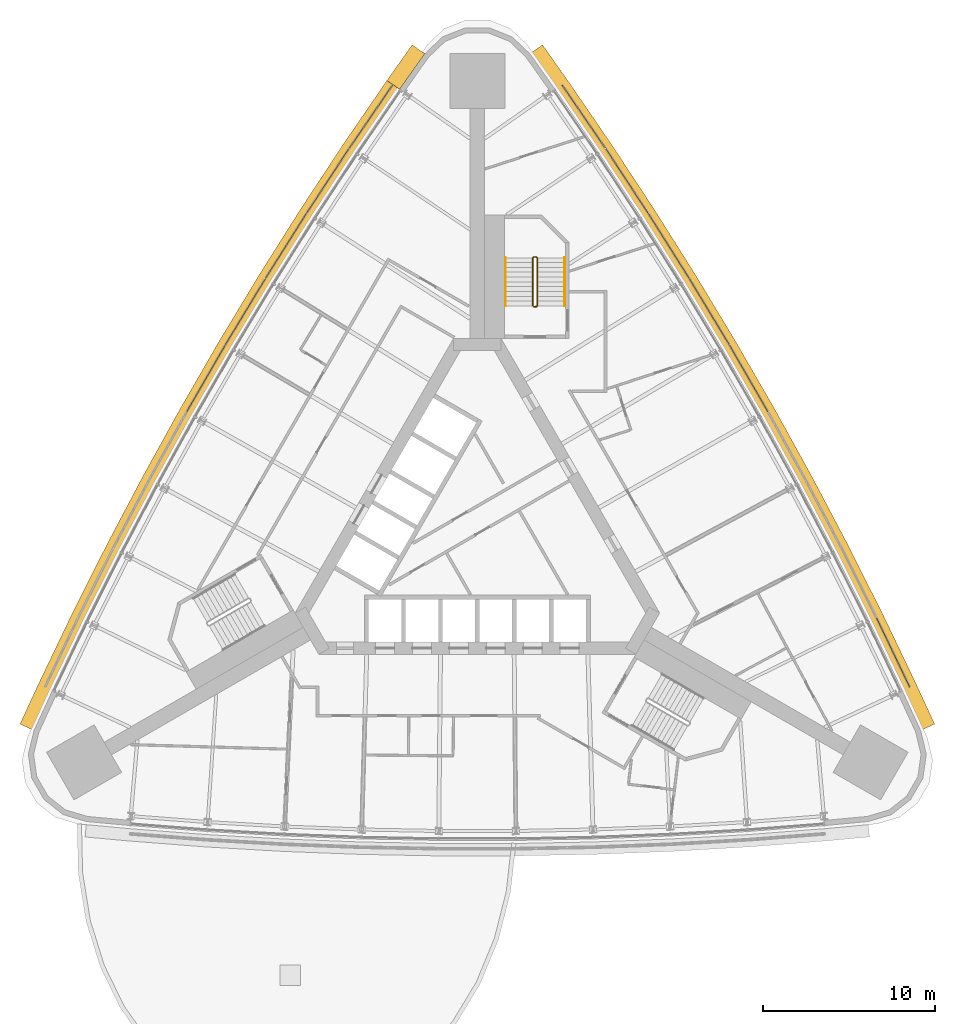
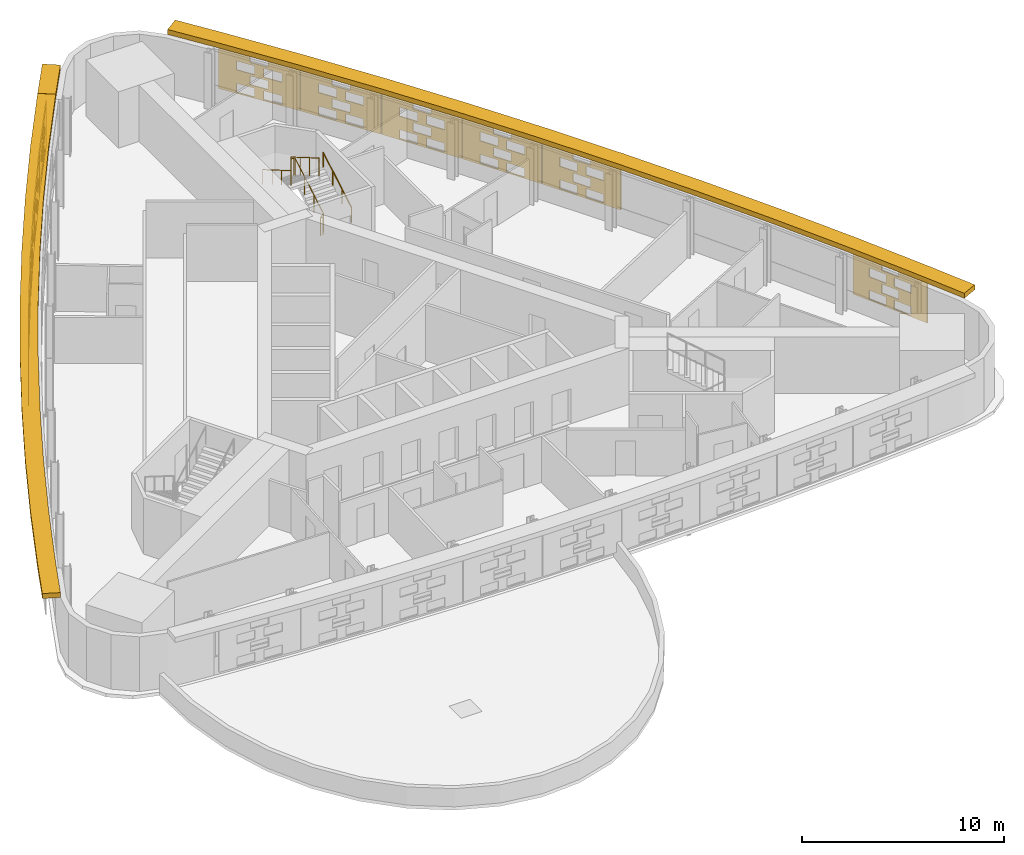
# One storey, part 15 of 15: 14 shading devices, 3 railings.
"""IFC4 building model written with IfcOpenShell, lengths in metres."""

from ifc_helpers import new_model, si_unit, direction, frame, origin, origin_2d, place, context, subcontext, project, spatial, polyline, circle, outline, extrude, material, material_profile, profile_set, type_object, element, save


model = new_model("IFC4")

# Units and contexts
model_context = context("Model", 3, precision=1e-05, world=origin(), true_north=direction((0.0, 1.0)))
body_context = subcontext(model_context, "Body", "Model", "MODEL_VIEW")
ifc_project = project(units=[si_unit("LENGTHUNIT", "METRE"), si_unit("AREAUNIT", "SQUARE_METRE"), si_unit("VOLUMEUNIT", "CUBIC_METRE"), si_unit("PLANEANGLEUNIT", "RADIAN"), si_unit("MASSUNIT", "GRAM", prefix="KILO")], contexts=[model_context])

# Site, building, storey
site_placement = place(None, origin())
site = spatial("IfcSite", under=ifc_project, at=site_placement, CompositionType="ELEMENT")
building_placement = place(site_placement, origin())
building = spatial("IfcBuilding", under=site, at=building_placement, Name="Noor Cloister Tower", CompositionType="ELEMENT")
storey_placement = place(building_placement, frame((0.0, 0.0, 69.0)))
storey = spatial("IfcBuildingStorey", under=building, at=storey_placement, Name="L17", CompositionType="ELEMENT", Elevation=69.0)

# Shading devices
ifc_material_1 = material(Name="Limestone", Category="masonry")
ifc_material_profile = material_profile(ifc_material_1, outline(polyline([(-2.22998046875, -1.35009765625), (2.22998046875, -1.35009765625), (2.22998046875, 1.35009765625), (-2.22998046875, 1.35009765625), (-2.22998046875, -1.35009765625)]), holes=[polyline([(-1.25, -1.282470703125), (-0.25, -1.282470703125), (-0.25, -0.742431640625), (-1.25, -0.742431640625), (-1.25, -1.282470703125)]), polyline([(0.25, -1.282470703125), (1.25, -1.282470703125), (1.25, -0.742431640625), (0.25, -0.742431640625), (0.25, -1.282470703125)]), polyline([(-0.5, -0.607421875), (0.5, -0.607421875), (0.5, -0.0673828125), (-0.5, -0.0673828125), (-0.5, -0.607421875)]), polyline([(-1.25, 0.0673828125), (-0.25, 0.0673828125), (-0.25, 0.607421875), (-1.25, 0.607421875), (-1.25, 0.0673828125)]), polyline([(0.25, 0.0673828125), (1.25, 0.0673828125), (1.25, 0.607421875), (0.25, 0.607421875), (0.25, 0.0673828125)]), polyline([(-0.5, 0.742431640625), (0.5, 0.742431640625), (0.5, 1.282470703125), (-0.5, 1.282470703125), (-0.5, 0.742431640625)])]), Name="Woven screen 28 percent open")
ifc_profile_set = profile_set([ifc_material_profile], Name="Limestone")
shading_device_type_1 = type_object("IfcShadingDeviceType", Name="SCREEN woven limestone 28 percent open", PredefinedType="USERDEFINED", material=ifc_profile_set)
for number, where, z_axis, x_axis, name in (
    (1, (-6.167236328125, 24.36376953125, 1.85009765625), (-0.825107815773, 0.564975302426, 0.0), (-0.564975302426, -0.825107815773, 0.0), "SCREEN L17 1"),
    (2, (-8.6796875, 20.620361328125, 1.85009765625), (-0.836396944636, 0.548124211291, 0.0), (-0.548124211291, -0.836396944636, 0.0), "SCREEN L17 2"),
    (3, (-11.11962890625, 16.8291015625, 1.85009765625), (-0.846164898331, 0.53292116193, 0.0), (-0.53292116193, -0.846164898331, 0.0), "SCREEN L17 3"),
):
    element("IfcShadingDevice", number, at=place(storey_placement, frame(where, z_axis=z_axis, x_axis=x_axis)), inside=storey, type_object=shading_device_type_1, Name=name, ObjectType="SCREEN", PredefinedType="USERDEFINED", context=body_context, shape_type="SweptSolid", body=[
        extrude(outline(polyline([(-2.22998046875, -1.35009765625), (2.22998046875, -1.35009765625), (2.22998046875, 1.35009765625), (-2.22998046875, 1.35009765625), (-2.22998046875, -1.35009765625)]), holes=[polyline([(-1.25, -1.282470703125), (-0.25, -1.282470703125), (-0.25, -0.742431640625), (-1.25, -0.742431640625), (-1.25, -1.282470703125)]), polyline([(0.25, -1.282470703125), (1.25, -1.282470703125), (1.25, -0.742431640625), (0.25, -0.742431640625), (0.25, -1.282470703125)]), polyline([(-0.5, -0.607421875), (0.5, -0.607421875), (0.5, -0.0673828125), (-0.5, -0.0673828125), (-0.5, -0.607421875)]), polyline([(-1.25, 0.0673828125), (-0.25, 0.0673828125), (-0.25, 0.607421875), (-1.25, 0.607421875), (-1.25, 0.0673828125)]), polyline([(0.25, 0.0673828125), (1.25, 0.0673828125), (1.25, 0.607421875), (0.25, 0.607421875), (0.25, 0.0673828125)]), polyline([(-0.5, 0.742431640625), (0.5, 0.742431640625), (0.5, 1.282470703125), (-0.5, 1.282470703125), (-0.5, 0.742431640625)])]), origin(), (0.0, 0.0, 1.0), 0.06005859375),
    ])
shading_device_1_placement = place(storey_placement, frame((-13.48583984375, 12.99169921875, 1.85009765625), z_axis=(-0.855690023312, 0.517488728384, 0.0), x_axis=(-0.517488728384, -0.855690023312, 0.0)))
element("IfcShadingDevice", 4, at=shading_device_1_placement, inside=storey, type_object=shading_device_type_1, Name="SCREEN L17 4", ObjectType="SCREEN", PredefinedType="USERDEFINED", context=body_context, shape_type="SweptSolid", body=[
    extrude(outline(polyline([(-2.22998046875, -1.35009765625), (2.22998046875, -1.35009765625), (2.22998046875, 1.35009765625), (-2.22998046875, 1.35009765625), (-2.22998046875, -1.35009765625)]), holes=[polyline([(-1.25, -1.282470703125), (-0.25, -1.282470703125), (-0.25, -0.742431640625), (-1.25, -0.742431640625), (-1.25, -1.282470703125)]), polyline([(0.25, -1.282470703125), (1.25, -1.282470703125), (1.25, -0.742431640625), (0.25, -0.742431640625), (0.25, -1.282470703125)]), polyline([(-0.5, -0.607421875), (0.5, -0.607421875), (0.5, -0.0673828125), (-0.5, -0.0673828125), (-0.5, -0.607421875)]), polyline([(-1.25, 0.0673828125), (-0.25, 0.0673828125), (-0.25, 0.607421875), (-1.25, 0.607421875), (-1.25, 0.0673828125)]), polyline([(0.25, 0.0673828125), (1.25, 0.0673828125), (1.25, 0.607421875), (0.25, 0.607421875), (0.25, 0.0673828125)]), polyline([(-0.5, 0.742431640625), (0.5, 0.742431640625), (0.5, 1.282470703125), (-0.5, 1.282470703125), (-0.5, 0.742431640625)])]), origin(), (0.0, 0.0, 1.0), 0.059814453125),
])
shading_device_2_placement = place(storey_placement, frame((-15.777587890625, 9.109130859375, 1.85009765625), z_axis=(-0.865982457891, 0.500074377092, 0.0), x_axis=(-0.500074377092, -0.865982457891, 0.0)))
element("IfcShadingDevice", 5, at=shading_device_2_placement, inside=storey, type_object=shading_device_type_1, Name="SCREEN L17 5", ObjectType="SCREEN", PredefinedType="USERDEFINED", context=body_context, shape_type="SweptSolid", body=[
    extrude(outline(polyline([(-2.22998046875, -1.35009765625), (2.22998046875, -1.35009765625), (2.22998046875, 1.35009765625), (-2.22998046875, 1.35009765625), (-2.22998046875, -1.35009765625)]), holes=[polyline([(-1.25, -1.282470703125), (-0.25, -1.282470703125), (-0.25, -0.742431640625), (-1.25, -0.742431640625), (-1.25, -1.282470703125)]), polyline([(0.25, -1.282470703125), (1.25, -1.282470703125), (1.25, -0.742431640625), (0.25, -0.742431640625), (0.25, -1.282470703125)]), polyline([(-0.5, -0.607421875), (0.5, -0.607421875), (0.5, -0.0673828125), (-0.5, -0.0673828125), (-0.5, -0.607421875)]), polyline([(-1.25, 0.0673828125), (-0.25, 0.0673828125), (-0.25, 0.607421875), (-1.25, 0.607421875), (-1.25, 0.0673828125)]), polyline([(0.25, 0.0673828125), (1.25, 0.0673828125), (1.25, 0.607421875), (0.25, 0.607421875), (0.25, 0.0673828125)]), polyline([(-0.5, 0.742431640625), (0.5, 0.742431640625), (0.5, 1.282470703125), (-0.5, 1.282470703125), (-0.5, 0.742431640625)])]), origin(), (0.0, 0.0, 1.0), 0.06005859375),
])
shading_device_3_placement = place(storey_placement, frame((24.183349609375, -6.8408203125, 1.85009765625), z_axis=(0.901650348454, 0.432465777991, 0.0), x_axis=(-0.432465777991, 0.901650348454, 0.0)))
element("IfcShadingDevice", 6, at=shading_device_3_placement, inside=storey, type_object=shading_device_type_1, Name="SCREEN L17 1", ObjectType="SCREEN", PredefinedType="USERDEFINED", context=body_context, shape_type="SweptSolid", body=[
    extrude(outline(polyline([(-2.22998046875, -1.35009765625), (2.22998046875, -1.35009765625), (2.22998046875, 1.35009765625), (-2.22998046875, 1.35009765625), (-2.22998046875, -1.35009765625)]), holes=[polyline([(-1.25, -1.282470703125), (-0.25, -1.282470703125), (-0.25, -0.742431640625), (-1.25, -0.742431640625), (-1.25, -1.282470703125)]), polyline([(0.25, -1.282470703125), (1.25, -1.282470703125), (1.25, -0.742431640625), (0.25, -0.742431640625), (0.25, -1.282470703125)]), polyline([(-0.5, -0.607421875), (0.5, -0.607421875), (0.5, -0.0673828125), (-0.5, -0.0673828125), (-0.5, -0.607421875)]), polyline([(-1.25, 0.0673828125), (-0.25, 0.0673828125), (-0.25, 0.607421875), (-1.25, 0.607421875), (-1.25, 0.0673828125)]), polyline([(0.25, 0.0673828125), (1.25, 0.0673828125), (1.25, 0.607421875), (0.25, 0.607421875), (0.25, 0.0673828125)]), polyline([(-0.5, 0.742431640625), (0.5, 0.742431640625), (0.5, 1.282470703125), (-0.5, 1.282470703125), (-0.5, 0.742431640625)])]), origin(), (0.0, 0.0, 1.0), 0.059814453125),
])
shading_device_4_placement = place(storey_placement, frame((15.777587890625, 9.109130859375, 1.85009765625), z_axis=(0.865982457891, 0.500074377092, 0.0), x_axis=(-0.500074377092, 0.865982457891, 0.0)))
element("IfcShadingDevice", 7, at=shading_device_4_placement, inside=storey, type_object=shading_device_type_1, Name="SCREEN L17 5", ObjectType="SCREEN", PredefinedType="USERDEFINED", context=body_context, shape_type="SweptSolid", body=[
    extrude(outline(polyline([(-2.22998046875, -1.35009765625), (2.22998046875, -1.35009765625), (2.22998046875, 1.35009765625), (-2.22998046875, 1.35009765625), (-2.22998046875, -1.35009765625)]), holes=[polyline([(-1.25, -1.282470703125), (-0.25, -1.282470703125), (-0.25, -0.742431640625), (-1.25, -0.742431640625), (-1.25, -1.282470703125)]), polyline([(0.25, -1.282470703125), (1.25, -1.282470703125), (1.25, -0.742431640625), (0.25, -0.742431640625), (0.25, -1.282470703125)]), polyline([(-0.5, -0.607421875), (0.5, -0.607421875), (0.5, -0.0673828125), (-0.5, -0.0673828125), (-0.5, -0.607421875)]), polyline([(-1.25, 0.0673828125), (-0.25, 0.0673828125), (-0.25, 0.607421875), (-1.25, 0.607421875), (-1.25, 0.0673828125)]), polyline([(0.25, 0.0673828125), (1.25, 0.0673828125), (1.25, 0.607421875), (0.25, 0.607421875), (0.25, 0.0673828125)]), polyline([(-0.5, 0.742431640625), (0.5, 0.742431640625), (0.5, 1.282470703125), (-0.5, 1.282470703125), (-0.5, 0.742431640625)])]), origin(), (0.0, 0.0, 1.0), 0.06005859375),
])
shading_device_5_placement = place(storey_placement, frame((13.48583984375, 12.99169921875, 1.85009765625), z_axis=(0.855690023312, 0.517488728384, 0.0), x_axis=(-0.517488728384, 0.855690023312, 0.0)))
element("IfcShadingDevice", 8, at=shading_device_5_placement, inside=storey, type_object=shading_device_type_1, Name="SCREEN L17 6", ObjectType="SCREEN", PredefinedType="USERDEFINED", context=body_context, shape_type="SweptSolid", body=[
    extrude(outline(polyline([(-2.22998046875, -1.35009765625), (2.22998046875, -1.35009765625), (2.22998046875, 1.35009765625), (-2.22998046875, 1.35009765625), (-2.22998046875, -1.35009765625)]), holes=[polyline([(-1.25, -1.282470703125), (-0.25, -1.282470703125), (-0.25, -0.742431640625), (-1.25, -0.742431640625), (-1.25, -1.282470703125)]), polyline([(0.25, -1.282470703125), (1.25, -1.282470703125), (1.25, -0.742431640625), (0.25, -0.742431640625), (0.25, -1.282470703125)]), polyline([(-0.5, -0.607421875), (0.5, -0.607421875), (0.5, -0.0673828125), (-0.5, -0.0673828125), (-0.5, -0.607421875)]), polyline([(-1.25, 0.0673828125), (-0.25, 0.0673828125), (-0.25, 0.607421875), (-1.25, 0.607421875), (-1.25, 0.0673828125)]), polyline([(0.25, 0.0673828125), (1.25, 0.0673828125), (1.25, 0.607421875), (0.25, 0.607421875), (0.25, 0.0673828125)]), polyline([(-0.5, 0.742431640625), (0.5, 0.742431640625), (0.5, 1.282470703125), (-0.5, 1.282470703125), (-0.5, 0.742431640625)])]), origin(), (0.0, 0.0, 1.0), 0.059814453125),
])
for number, where, z_axis, x_axis, name in (
    (9, (11.11962890625, 16.8291015625, 1.85009765625), (0.846164898331, 0.53292116193, 0.0), (-0.53292116193, 0.846164898331, 0.0), "SCREEN L17 7"),
    (10, (8.6796875, 20.620361328125, 1.85009765625), (0.836396944636, 0.548124211291, 0.0), (-0.548124211291, 0.836396944636, 0.0), "SCREEN L17 8"),
    (11, (6.167236328125, 24.36376953125, 1.85009765625), (0.825107815773, 0.564975302426, 0.0), (-0.564975302426, 0.825107815773, 0.0), "SCREEN L17 9"),
):
    element("IfcShadingDevice", number, at=place(storey_placement, frame(where, z_axis=z_axis, x_axis=x_axis)), inside=storey, type_object=shading_device_type_1, Name=name, ObjectType="SCREEN", PredefinedType="USERDEFINED", context=body_context, shape_type="SweptSolid", body=[
        extrude(outline(polyline([(-2.22998046875, -1.35009765625), (2.22998046875, -1.35009765625), (2.22998046875, 1.35009765625), (-2.22998046875, 1.35009765625), (-2.22998046875, -1.35009765625)]), holes=[polyline([(-1.25, -1.282470703125), (-0.25, -1.282470703125), (-0.25, -0.742431640625), (-1.25, -0.742431640625), (-1.25, -1.282470703125)]), polyline([(0.25, -1.282470703125), (1.25, -1.282470703125), (1.25, -0.742431640625), (0.25, -0.742431640625), (0.25, -1.282470703125)]), polyline([(-0.5, -0.607421875), (0.5, -0.607421875), (0.5, -0.0673828125), (-0.5, -0.0673828125), (-0.5, -0.607421875)]), polyline([(-1.25, 0.0673828125), (-0.25, 0.0673828125), (-0.25, 0.607421875), (-1.25, 0.607421875), (-1.25, 0.0673828125)]), polyline([(0.25, 0.0673828125), (1.25, 0.0673828125), (1.25, 0.607421875), (0.25, 0.607421875), (0.25, 0.0673828125)]), polyline([(-0.5, 0.742431640625), (0.5, 0.742431640625), (0.5, 1.282470703125), (-0.5, 1.282470703125), (-0.5, 0.742431640625)])]), origin(), (0.0, 0.0, 1.0), 0.06005859375),
    ])
ifc_material_2 = material(Name="Limestone", Category="masonry")
shading_device_type_2 = type_object("IfcShadingDeviceType", Name="SUNSHADE limestone band 900", PredefinedType="USERDEFINED", material=ifc_material_2)
shading_device_6_placement = place(storey_placement, frame((0.0, 0.0, 3.300048828125)))
element("IfcShadingDevice", 12, at=shading_device_6_placement, inside=storey, type_object=shading_device_type_2, Name="SUNSHADE L17 1", ObjectType="SUNSHADE", PredefinedType="USERDEFINED", context=body_context, shape_type="SweptSolid", body=[
    extrude(outline(polyline([(-5.2666015625, 26.47412109375), (-7.815185546875, 22.7548828125), (-10.29638671875, 18.97998046875), (-12.704345703125, 15.157958984375), (-15.037841796875, 11.290283203125), (-17.296630859375, 7.378173828125), (-19.479248046875, 3.423095703125), (-21.58544921875, -0.572998046875), (-23.614013671875, -4.609375), (-25.5634765625, -8.68212890625), (-26.626708984375, -10.992431640625), (-25.809326171875, -11.36865234375), (-24.748779296875, -9.064697265625), (-22.805908203125, -5.005615234375), (-20.78515625, -0.985107421875), (-18.687255859375, 2.995849609375), (-16.5126953125, 6.935546875), (-14.262939453125, 10.832763671875), (-11.938232421875, 14.685546875), (-9.53955078125, 18.492919921875), (-7.06787109375, 22.25341796875), (-4.524169921875, 25.96533203125), (-5.2666015625, 26.47412109375)])), origin(), (0.0, 0.0, 1.0), 0.300048828125),
])
shading_device_7_placement = place(storey_placement, frame((0.0, 0.0, 3.300048828125)))
element("IfcShadingDevice", 13, at=shading_device_7_placement, inside=storey, type_object=shading_device_type_2, Name="SUNSHADE L17 3", ObjectType="SUNSHADE", PredefinedType="USERDEFINED", context=body_context, shape_type="SweptSolid", body=[
    extrude(outline(polyline([(26.626708984375, -10.992431640625), (25.5634765625, -8.68212890625), (23.614013671875, -4.609375), (21.58544921875, -0.572998046875), (19.479248046875, 3.423095703125), (17.296630859375, 7.378173828125), (15.037841796875, 11.290283203125), (12.704345703125, 15.157958984375), (10.29638671875, 18.97998046875), (7.815185546875, 22.7548828125), (5.2626953125, 26.479736328125), (3.793701171875, 28.5556640625), (3.05908203125, 28.035888671875), (4.524169921875, 25.96533203125), (7.06787109375, 22.25341796875), (9.53955078125, 18.492919921875), (11.938232421875, 14.685546875), (14.262939453125, 10.832763671875), (16.5126953125, 6.935546875), (18.687255859375, 2.995849609375), (20.78515625, -0.985107421875), (22.805908203125, -5.005615234375), (24.748779296875, -9.064697265625), (25.809326171875, -11.36865234375), (26.626708984375, -10.992431640625)])), origin(), (0.0, 0.0, 1.0), 0.300048828125),
])
shading_device_8_placement = place(storey_placement, frame((0.0, 0.0, 3.300048828125)))
element("IfcShadingDevice", 14, at=shading_device_8_placement, inside=storey, type_object=shading_device_type_2, Name="SUNSHADE L17 4", ObjectType="SUNSHADE", PredefinedType="USERDEFINED", context=body_context, shape_type="SweptSolid", body=[
    extrude(outline(polyline([(-3.793701171875, 28.5556640625), (-5.2587890625, 26.4853515625), (-4.524169921875, 25.96533203125), (-3.05908203125, 28.035888671875), (-3.793701171875, 28.5556640625)])), origin(), (0.0, 0.0, 1.0), 0.300048828125),
])

# Railings
ifc_material_3 = material(Name="Stainless steel", Category="steel")
railing_type_1 = type_object("IfcRailingType", Name="Stair guard 1100", PredefinedType="GUARDRAIL", material=ifc_material_3)
railing_1_placement = place(storey_placement, frame((3.435546875, 13.306396484375, 0.0)))
element("IfcRailing", 15, at=railing_1_placement, inside=storey, type_object=railing_type_1, Name="Stair guard ST1 L17", PredefinedType="GUARDRAIL", context=body_context, shape_type="SweptSolid", body=[
    extrude(circle(Radius=0.02392578125, at=origin_2d()), frame((0.0, 0.0, 1.076171875), z_axis=(-1.0, 0.0, 0.0), x_axis=(0.0, -1.0, 0.0)), (0.0, 0.0, 1.0), 0.14990234375),
    extrude(circle(Radius=0.02392578125, at=origin_2d()), frame((-0.14990234375, 0.0, 1.076171875), z_axis=(0.759870394187, 0.190199549216, 0.621627795), x_axis=(-0.242814311512, 0.970072785993, 0.0)), (0.0, 0.0, 1.0), 0.26318359375),
    extrude(circle(Radius=0.02392578125, at=origin_2d()), frame((0.050048828125, 0.050048828125, 1.23974609375), z_axis=(0.0, 0.863360870873, 0.504586966384), x_axis=(-1.0, 0.0, 0.0)), (0.0, 0.0, 1.0), 3.2431640625),
    extrude(circle(Radius=0.02392578125, at=origin_2d()), frame((0.050048828125, 2.85009765625, 2.8759765625), z_axis=(-0.708833529934, 0.705375805398, 0.0), x_axis=(-0.705375805398, -0.708833529934, 0.0)), (0.0, 0.0, 1.0), 0.070556640625),
    extrude(circle(Radius=0.02392578125, at=origin_2d()), frame((0.0, 2.89990234375, 2.8759765625), z_axis=(-1.0, 0.0, 0.0), x_axis=(0.0, -1.0, 0.0)), (0.0, 0.0, 1.0), 0.14990234375),
    extrude(circle(Radius=0.02392578125, at=origin_2d()), frame((-0.14990234375, 2.89990234375, 2.8759765625), z_axis=(-0.280916556609, -0.279546231943, 0.91811752648), x_axis=(0.705375805398, -0.708833529934, 0.0)), (0.0, 0.0, 1.0), 0.17822265625),
    extrude(circle(Radius=0.02392578125, at=origin_2d()), frame((-0.199951171875, 2.85009765625, 3.03955078125), z_axis=(0.0, -0.863360870873, 0.504586966384), x_axis=(1.0, 0.0, 0.0)), (0.0, 0.0, 1.0), 3.2431640625),
    extrude(circle(Radius=0.02099609375, at=origin_2d()), origin(), (0.0, 0.0, 1.0), 1.052001953125),
    extrude(circle(Radius=0.02099609375, at=origin_2d()), frame((-0.14990234375, 0.0, 0.0)), (0.0, 0.0, 1.0), 1.052001953125),
    extrude(circle(Radius=0.02099609375, at=origin_2d()), frame((0.050048828125, 0.050048828125, 0.16357421875)), (0.0, 0.0, 1.0), 1.052001953125),
    extrude(circle(Radius=0.02099609375, at=origin_2d()), frame((0.050048828125, 0.9833984375, 0.708984375)), (0.0, 0.0, 1.0), 1.052001953125),
    extrude(circle(Radius=0.02099609375, at=origin_2d()), frame((0.050048828125, 1.916748046875, 1.254638671875)), (0.0, 0.0, 1.0), 1.052001953125),
    extrude(circle(Radius=0.02099609375, at=origin_2d()), frame((0.050048828125, 2.85009765625, 1.800048828125)), (0.0, 0.0, 1.0), 1.052001953125),
    extrude(circle(Radius=0.02099609375, at=origin_2d()), frame((0.0, 2.89990234375, 1.800048828125)), (0.0, 0.0, 1.0), 1.052001953125),
    extrude(circle(Radius=0.02099609375, at=origin_2d()), frame((-0.14990234375, 2.89990234375, 1.800048828125)), (0.0, 0.0, 1.0), 1.052001953125),
    extrude(circle(Radius=0.02099609375, at=origin_2d()), frame((-0.199951171875, 2.85009765625, 1.963623046875)), (0.0, 0.0, 1.0), 1.052001953125),
    extrude(circle(Radius=0.02099609375, at=origin_2d()), frame((-0.199951171875, 1.916748046875, 2.509033203125)), (0.0, 0.0, 1.0), 1.052001953125),
    extrude(circle(Radius=0.02099609375, at=origin_2d()), frame((-0.199951171875, 0.9833984375, 3.0546875)), (0.0, 0.0, 1.0), 1.052001953125),
    extrude(circle(Radius=0.02099609375, at=origin_2d()), frame((-0.199951171875, 0.050048828125, 3.60009765625)), (0.0, 0.0, 1.0), 1.052001953125),
])
ifc_material_4 = material(Name="Stainless steel", Category="steel")
railing_type_2 = type_object("IfcRailingType", Name="Stair handrail 900", PredefinedType="HANDRAIL", material=ifc_material_4)
railing_2_placement = place(storey_placement, frame((5.085693359375, 13.3564453125, 0.16357421875)))
element("IfcRailing", 16, at=railing_2_placement, inside=storey, type_object=railing_type_2, Name="Stair handrail ST1 L17 1", PredefinedType="HANDRAIL", context=body_context, shape_type="SweptSolid", body=[
    extrude(circle(Radius=0.02392578125, at=origin_2d()), frame((0.0, 0.0, 0.8759765625), z_axis=(0.0, 0.863360870873, 0.504586966384), x_axis=(-1.0, 0.0, 0.0)), (0.0, 0.0, 1.0), 3.2431640625),
    extrude(circle(Radius=0.02099609375, at=origin_2d()), origin(), (0.0, 0.0, 1.0), 0.851806640625),
    extrude(circle(Radius=0.02099609375, at=origin_2d()), frame((0.0, 0.933349609375, 0.54541015625)), (0.0, 0.0, 1.0), 0.851806640625),
    extrude(circle(Radius=0.02099609375, at=origin_2d()), frame((0.0, 1.86669921875, 1.091064453125)), (0.0, 0.0, 1.0), 0.851806640625),
    extrude(circle(Radius=0.02099609375, at=origin_2d()), frame((0.0, 2.800048828125, 1.636474609375)), (0.0, 0.0, 1.0), 0.851806640625),
])
railing_3_placement = place(storey_placement, frame((1.6357421875, 16.156494140625, 1.963623046875)))
element("IfcRailing", 17, at=railing_3_placement, inside=storey, type_object=railing_type_2, Name="Stair handrail ST1 L17 2", PredefinedType="HANDRAIL", context=body_context, shape_type="SweptSolid", body=[
    extrude(circle(Radius=0.02392578125, at=origin_2d()), frame((0.0, 0.0, 0.8759765625), z_axis=(0.0, -0.863360870873, 0.504586966384), x_axis=(1.0, 0.0, 0.0)), (0.0, 0.0, 1.0), 3.2431640625),
    extrude(circle(Radius=0.02099609375, at=origin_2d()), origin(), (0.0, 0.0, 1.0), 0.851806640625),
    extrude(circle(Radius=0.02099609375, at=origin_2d()), frame((0.0, -0.933349609375, 0.54541015625)), (0.0, 0.0, 1.0), 0.851806640625),
    extrude(circle(Radius=0.02099609375, at=origin_2d()), frame((0.0, -1.86669921875, 1.091064453125)), (0.0, 0.0, 1.0), 0.851806640625),
    extrude(circle(Radius=0.02099609375, at=origin_2d()), frame((0.0, -2.800048828125, 1.636474609375)), (0.0, 0.0, 1.0), 0.851806640625),
])

save(model, "model.ifc")
